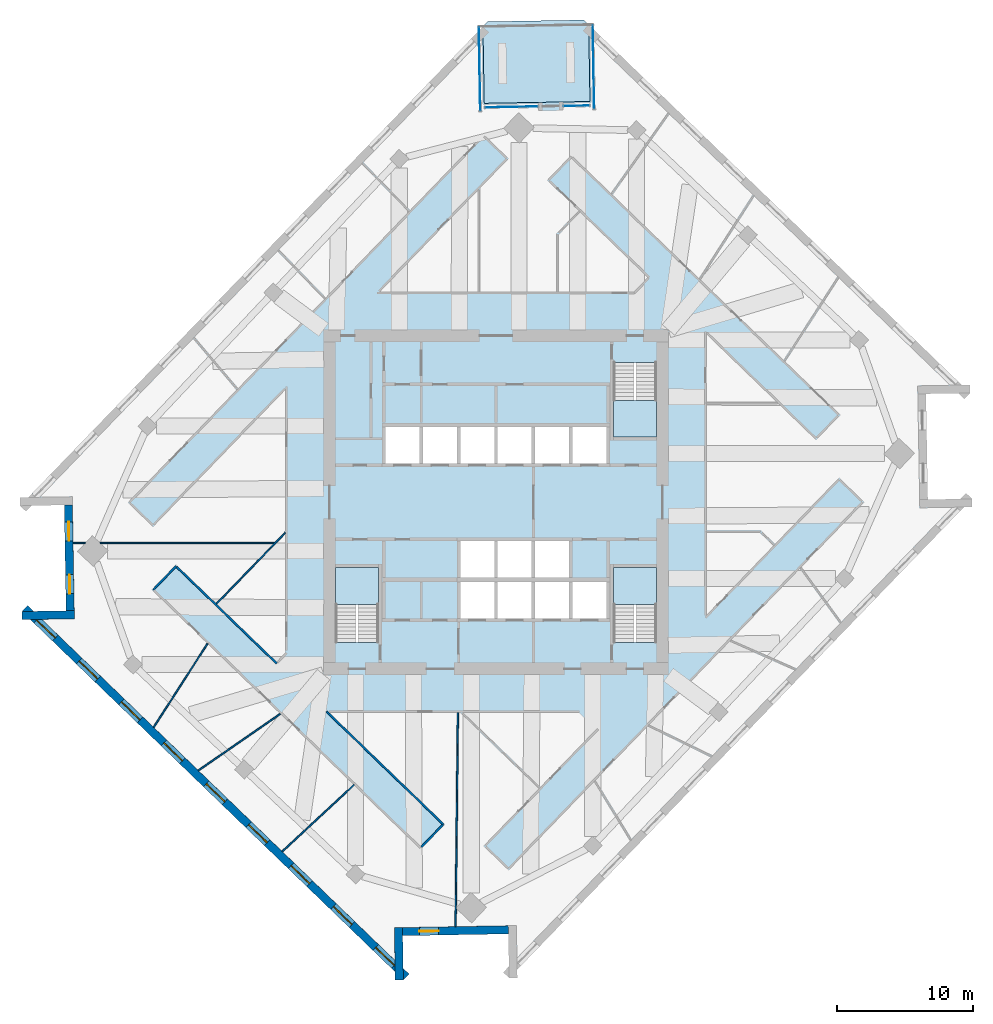
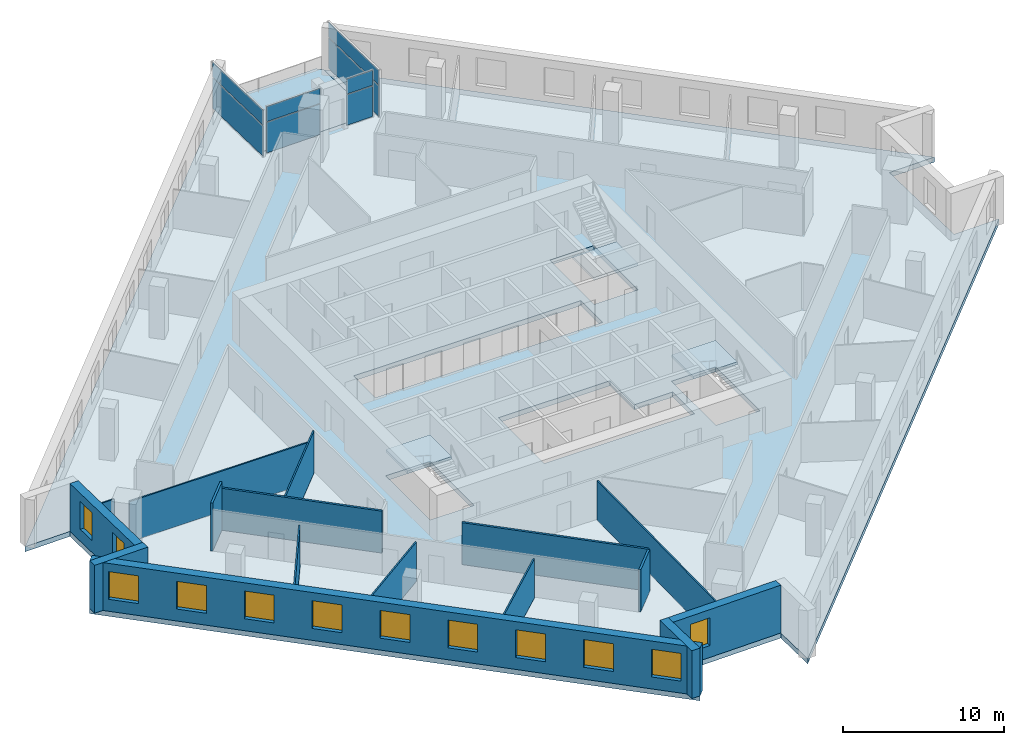
# One storey, part 5 of 13: 16 walls, 12 windows, 8 plates, 5 slabs, 12 openings, 7 elements without a shape of their own.
"""IFC4 building model written with IfcOpenShell, lengths in metres."""

from ifc_helpers import new_model, si_unit, direction, frame, frame_2d, origin, origin_2d, place, context, subcontext, project, spatial, polyline, rectangle, outline, extrude, material, layer, layer_set, type_object, element, fill, aggregate, save


model = new_model("IFC4")

# Units and contexts
model_context = context("Model", 3, precision=1e-05, world=origin(), true_north=direction((0.0, 1.0)))
body_context = subcontext(model_context, "Body", "Model", "MODEL_VIEW")
ifc_project = project(units=[si_unit("LENGTHUNIT", "METRE"), si_unit("AREAUNIT", "SQUARE_METRE"), si_unit("VOLUMEUNIT", "CUBIC_METRE"), si_unit("PLANEANGLEUNIT", "RADIAN"), si_unit("MASSUNIT", "GRAM", prefix="KILO")], contexts=[model_context])

# Site, building, storey
site_placement = place(None, origin())
site = spatial("IfcSite", under=ifc_project, at=site_placement, CompositionType="ELEMENT")
building_placement = place(site_placement, origin())
building = spatial("IfcBuilding", under=site, at=building_placement, Name="Dilmun Exchange Tower", CompositionType="ELEMENT")
storey_placement = place(building_placement, frame((0.0, 0.0, 209.300048828125)))
storey = spatial("IfcBuildingStorey", under=building, at=storey_placement, Name="L49", CompositionType="ELEMENT", Elevation=209.300048828125)

# Stair, slab
ifc_material_1 = material(Name="Concrete C40/50", Category="concrete")
stair_type = type_object("IfcStairType", Name="Exit stair 1500 half-turn", PredefinedType="HALF_TURN_STAIR", material=ifc_material_1)
stair_1_placement = place(storey_placement, origin())
stair_1 = element("IfcStair", 1, at=stair_1_placement, inside=storey, type_object=stair_type, Name="L49 Protected exit stair ST1", PredefinedType="HALF_TURN_STAIR")
ifc_layer_1 = layer(ifc_material_1, 0.199951171875)
ifc_layer_set_1 = layer_set([ifc_layer_1], Name="Concrete C40/50")
slab_type_1 = type_object("IfcSlabType", Name="Exit stair landing 200", PredefinedType="LANDING", material=ifc_layer_set_1)
slab_1_placement = place(storey_placement, frame((0.0, 0.0, 1.800048828125)))
slab_1 = element("IfcSlab", 2, at=slab_1_placement, type_object=slab_type_1, Name="ST1 landing 1", PredefinedType="LANDING", context=body_context, shape_type="SweptSolid", body=[
    extrude(outline(polyline([(8.64990234375, 7.5), (8.64990234375, 4.800048828125), (11.800048828125, 4.800048828125), (11.800048828125, 7.5), (8.64990234375, 7.5)])), origin(), (0.0, 0.0, 1.0), 0.199951171875),
])
aggregate(stair_1, [slab_1])

stair_2_placement = place(storey_placement, origin())
stair_2 = element("IfcStair", 3, at=stair_2_placement, inside=storey, type_object=stair_type, Name="L49 Protected exit stair ST2", PredefinedType="HALF_TURN_STAIR")
slab_2_placement = place(storey_placement, frame((0.0, 0.0, 1.800048828125)))
slab_2 = element("IfcSlab", 4, at=slab_2_placement, type_object=slab_type_1, Name="ST2 landing 1", PredefinedType="LANDING", context=body_context, shape_type="SweptSolid", body=[
    extrude(outline(polyline([(-8.64990234375, -7.5), (-8.64990234375, -4.800048828125), (-11.800048828125, -4.800048828125), (-11.800048828125, -7.5), (-8.64990234375, -7.5)])), origin(), (0.0, 0.0, 1.0), 0.199951171875),
])
aggregate(stair_2, [slab_2])

stair_3_placement = place(storey_placement, origin())
stair_3 = element("IfcStair", 5, at=stair_3_placement, inside=storey, type_object=stair_type, Name="L49 Protected exit stair ST3", PredefinedType="HALF_TURN_STAIR")
slab_3_placement = place(storey_placement, frame((0.0, 0.0, 1.800048828125)))
slab_3 = element("IfcSlab", 6, at=slab_3_placement, type_object=slab_type_1, Name="ST3 landing 1", PredefinedType="LANDING", context=body_context, shape_type="SweptSolid", body=[
    extrude(outline(polyline([(11.800048828125, -7.5), (11.800048828125, -4.800048828125), (8.64990234375, -4.800048828125), (8.64990234375, -7.5), (11.800048828125, -7.5)])), origin(), (0.0, 0.0, 1.0), 0.199951171875),
])
aggregate(stair_3, [slab_3])

# Curtain wall, plates
ifc_material_2 = material(Name="Anodised aluminium and clear glass", Category="aluminium")
curtain_wall_type = type_object("IfcCurtainWallType", Name="Garden corner glazing", PredefinedType="NOTDEFINED", material=ifc_material_2)
curtain_wall_1_placement = place(storey_placement, origin())
curtain_wall_1 = element("IfcCurtainWall", 7, at=curtain_wall_1_placement, inside=storey, type_object=curtain_wall_type, Name="Garden corner glazing run GC1.1", PredefinedType="NOTDEFINED")
ifc_material_3 = material(Name="Clear glass", Category="glass")
ifc_layer_2 = layer(ifc_material_3, 0.028076171875)
ifc_layer_set_2 = layer_set([ifc_layer_2], Name="Clear glass")
plate_type = type_object("IfcPlateType", Name="Garden corner glazing glass panel 28", PredefinedType="CURTAIN_PANEL", material=ifc_layer_set_2)
plate_1_placement = place(storey_placement, frame((7.1669921875, 32.008544921875, 0.059814453125), z_axis=(0.0, 0.0, 1.0), x_axis=(0.017449908501, -0.999847738755, 0.0)))
plate_1 = element("IfcPlate", 8, at=plate_1_placement, type_object=plate_type, Name="GC1.1 panel 1.1", PredefinedType="CURTAIN_PANEL", context=body_context, shape_type="SweptSolid", body=[
    extrude(rectangle(XDim=6.12646484375, YDim=0.028076171875, at=origin_2d()), origin(), (0.0, 0.0, 1.0), 2.31005859375),
])
plate_2_placement = place(storey_placement, frame((7.1669921875, 32.008544921875, 2.429931640625), z_axis=(0.0, 0.0, 1.0), x_axis=(0.017449908501, -0.999847738755, 0.0)))
plate_2 = element("IfcPlate", 9, at=plate_2_placement, type_object=plate_type, Name="GC1.1 panel 1.2", PredefinedType="CURTAIN_PANEL", context=body_context, shape_type="SweptSolid", body=[
    extrude(rectangle(XDim=6.12646484375, YDim=0.028076171875, at=origin_2d()), origin(), (0.0, 0.0, 1.0), 1.1298828125),
])
aggregate(curtain_wall_1, [plate_1, plate_2])

curtain_wall_2_placement = place(storey_placement, origin())
curtain_wall_2 = element("IfcCurtainWall", 10, at=curtain_wall_2_placement, inside=storey, type_object=curtain_wall_type, Name="Garden corner glazing run GC2.1", PredefinedType="NOTDEFINED")
plate_3_placement = place(storey_placement, frame((5.922119140625, 29.1630859375, 0.059814453125), z_axis=(0.0, 0.0, 1.0), x_axis=(-0.999847823501, -0.017445052024, 0.0)))
plate_3 = element("IfcPlate", 11, at=plate_3_placement, type_object=plate_type, Name="GC2.1 panel 1.1", PredefinedType="CURTAIN_PANEL", context=body_context, shape_type="SweptSolid", body=[
    extrude(rectangle(XDim=1.869140625, YDim=0.028076171875, at=origin_2d()), origin(), (0.0, 0.0, 1.0), 2.31005859375),
])
plate_4_placement = place(storey_placement, frame((5.922119140625, 29.1630859375, 2.429931640625), z_axis=(0.0, 0.0, 1.0), x_axis=(-0.999847823501, -0.017445052024, 0.0)))
plate_4 = element("IfcPlate", 12, at=plate_4_placement, type_object=plate_type, Name="GC2.1 panel 1.2", PredefinedType="CURTAIN_PANEL", context=body_context, shape_type="SweptSolid", body=[
    extrude(rectangle(XDim=1.869140625, YDim=0.028076171875, at=origin_2d()), origin(), (0.0, 0.0, 1.0), 1.1298828125),
])
aggregate(curtain_wall_2, [plate_3, plate_4])

curtain_wall_3_placement = place(storey_placement, origin())
curtain_wall_3 = element("IfcCurtainWall", 13, at=curtain_wall_3_placement, inside=storey, type_object=curtain_wall_type, Name="Garden corner glazing run GC2.3", PredefinedType="NOTDEFINED")
plate_5_placement = place(storey_placement, frame((1.133544921875, 29.07958984375, 0.059814453125), z_axis=(0.0, 0.0, 1.0), x_axis=(-0.999847342934, -0.017472573608, 0.0)))
plate_5 = element("IfcPlate", 14, at=plate_5_placement, type_object=plate_type, Name="GC2.3 panel 1.1", PredefinedType="CURTAIN_PANEL", context=body_context, shape_type="SweptSolid", body=[
    extrude(rectangle(XDim=3.869140625, YDim=0.028076171875, at=origin_2d()), origin(), (0.0, 0.0, 1.0), 2.31005859375),
])
plate_6_placement = place(storey_placement, frame((1.133544921875, 29.07958984375, 2.429931640625), z_axis=(0.0, 0.0, 1.0), x_axis=(-0.999847342934, -0.017472573608, 0.0)))
plate_6 = element("IfcPlate", 15, at=plate_6_placement, type_object=plate_type, Name="GC2.3 panel 1.2", PredefinedType="CURTAIN_PANEL", context=body_context, shape_type="SweptSolid", body=[
    extrude(rectangle(XDim=3.869140625, YDim=0.028076171875, at=origin_2d()), origin(), (0.0, 0.0, 1.0), 1.1298828125),
])
aggregate(curtain_wall_3, [plate_5, plate_6])

curtain_wall_4_placement = place(storey_placement, origin())
curtain_wall_4 = element("IfcCurtainWall", 16, at=curtain_wall_4_placement, inside=storey, type_object=curtain_wall_type, Name="Garden corner glazing run GC3.1", PredefinedType="NOTDEFINED")
plate_7_placement = place(storey_placement, frame((-1.209716796875, 31.8623046875, 0.059814453125), z_axis=(0.0, 0.0, 1.0), x_axis=(-0.017450187816, 0.99984773388, 0.0)))
plate_7 = element("IfcPlate", 17, at=plate_7_placement, type_object=plate_type, Name="GC3.1 panel 1.1", PredefinedType="CURTAIN_PANEL", context=body_context, shape_type="SweptSolid", body=[
    extrude(rectangle(XDim=6.12646484375, YDim=0.028076171875, at=origin_2d()), origin(), (0.0, 0.0, 1.0), 2.31005859375),
])
plate_8_placement = place(storey_placement, frame((-1.209716796875, 31.8623046875, 2.429931640625), z_axis=(0.0, 0.0, 1.0), x_axis=(-0.017450187816, 0.99984773388, 0.0)))
plate_8 = element("IfcPlate", 18, at=plate_8_placement, type_object=plate_type, Name="GC3.1 panel 1.2", PredefinedType="CURTAIN_PANEL", context=body_context, shape_type="SweptSolid", body=[
    extrude(rectangle(XDim=6.12646484375, YDim=0.028076171875, at=origin_2d()), origin(), (0.0, 0.0, 1.0), 1.1298828125),
])
aggregate(curtain_wall_4, [plate_7, plate_8])

# Slabs
ifc_layer_3 = layer(ifc_material_1, 0.3798828125)
ifc_layer_set_3 = layer_set([ifc_layer_3], Name="Concrete C40/50")
slab_type_2 = type_object("IfcSlabType", Name="RC floor slab 380", PredefinedType="FLOOR", material=ifc_layer_set_3)
slab_4_placement = place(storey_placement, frame((0.0, 0.0, -0.380126953125)))
element("IfcSlab", 19, at=slab_4_placement, inside=storey, type_object=slab_type_2, Name="Floor slab", PredefinedType="FLOOR", context=body_context, shape_type="SweptSolid", body=[
    extrude(outline(polyline([(31.620849609375, 7.977783203125), (31.756591796875, 0.20068359375), (35.002685546875, 0.25732421875), (0.96435546875, -34.990234375), (0.90771484375, -31.744384765625), (-6.869384765625, -31.880126953125), (-6.8125, -35.1259765625), (-34.866943359375, -8.034423828125), (-31.620849609375, -7.977783203125), (-31.756591796875, -0.20068359375), (-35.002685546875, -0.25732421875), (-0.96435546875, 34.990234375), (-0.86572265625, 29.3447265625), (6.9111328125, 29.48046875), (6.8125, 35.1259765625), (34.866943359375, 8.034423828125), (31.620849609375, 7.977783203125)]), holes=[polyline([(-8.64990234375, -4.800048828125), (-11.800048828125, -4.800048828125), (-11.800048828125, -10.294921875), (-8.64990234375, -10.294921875), (-8.64990234375, -4.800048828125)]), polyline([(11.800048828125, -4.800048828125), (8.64990234375, -4.800048828125), (8.64990234375, -10.294921875), (11.800048828125, -10.294921875), (11.800048828125, -4.800048828125)]), polyline([(5.375, -2.85009765625), (-2.625, -2.85009765625), (-2.625, -8.550048828125), (8.125, -8.550048828125), (8.125, -5.85009765625), (5.375, -5.85009765625), (5.375, -2.85009765625)]), polyline([(8.125, 2.85009765625), (8.125, 5.550048828125), (-8.125, 5.550048828125), (-8.125, 2.85009765625), (8.125, 2.85009765625)]), polyline([(8.64990234375, 10.294921875), (8.64990234375, 4.800048828125), (11.800048828125, 4.800048828125), (11.800048828125, 10.294921875), (8.64990234375, 10.294921875)])]), origin(), (0.0, 0.0, 1.0), 0.380126953125),
])
ifc_layer_4 = layer(ifc_material_1, 0.300048828125)
ifc_layer_set_4 = layer_set([ifc_layer_4], Name="Concrete C40/50")
slab_type_3 = type_object("IfcSlabType", Name="RC garden terrace slab 300", PredefinedType="FLOOR", material=ifc_layer_set_4)
slab_5_placement = place(storey_placement, frame((0.0, 0.0, -0.300048828125)))
element("IfcSlab", 20, at=slab_5_placement, inside=storey, type_object=slab_type_3, Name="Garden terrace slab", PredefinedType="FLOOR", context=body_context, shape_type="SweptSolid", body=[
    extrude(outline(polyline([(-0.86572265625, 29.3447265625), (-0.96435546875, 34.990234375), (-0.616943359375, 35.35009765625), (6.452880859375, 35.473388671875), (6.8125, 35.1259765625), (6.9111328125, 29.48046875), (-0.86572265625, 29.3447265625)])), origin(), (0.0, 0.0, 1.0), 0.300048828125),
])

# Walls
ifc_material_4 = material(Name="Corridor wall 150")
ifc_layer_5 = layer(ifc_material_4, 0.14990234375)
ifc_layer_set_5 = layer_set([ifc_layer_5], Name="Corridor wall 150")
wall_type_1 = type_object("IfcWallType", Name="Corridor wall 150", PredefinedType="PARTITIONING", material=ifc_layer_set_5)
wall_1_placement = place(storey_placement, frame((-25.205078125, -6.427001953125, 0.0), z_axis=(0.0, 0.0, 1.0), x_axis=(0.694688923552, 0.719310294305, 0.0)))
element("IfcWall", 21, at=wall_1_placement, inside=storey, type_object=wall_type_1, Name="Corridor wall", PredefinedType="PARTITIONING", context=body_context, shape_type="SweptSolid", body=[
    extrude(rectangle(XDim=2.399658203125, YDim=0.14990234375, at=frame_2d((1.19970703125, 0.0))), origin(), (0.0, 0.0, 1.0), 3.619873046875),
])
wall_2_placement = place(storey_placement, frame((-23.48388671875, -4.753173828125, 0.0), z_axis=(0.0, 0.0, 1.0), x_axis=(0.719330221059, -0.694668289956, 0.0)))
element("IfcWall", 22, at=wall_2_placement, inside=storey, type_object=wall_type_1, Name="Corridor wall", PredefinedType="PARTITIONING", context=body_context, shape_type="SweptSolid", body=[
    extrude(rectangle(XDim=10.21630859375, YDim=0.14990234375, at=frame_2d((5.108154296875, 0.0))), origin(), (0.0, 0.0, 1.0), 3.169921875),
])
wall_3_placement = place(storey_placement, frame((-12.458984375, -15.39990234375, 0.0), z_axis=(0.0, 0.0, 1.0), x_axis=(0.719357740032, -0.694639792883, 0.0)))
element("IfcWall", 23, at=wall_3_placement, inside=storey, type_object=wall_type_1, Name="Corridor wall", PredefinedType="PARTITIONING", context=body_context, shape_type="SweptSolid", body=[
    extrude(rectangle(XDim=11.931396484375, YDim=0.14990234375, at=frame_2d((5.9658203125, 0.0))), origin(), (0.0, 0.0, 1.0), 3.169921875),
])
wall_4_placement = place(storey_placement, frame((-5.490966796875, -25.360107421875, 0.0), z_axis=(0.0, 0.0, 1.0), x_axis=(0.694737811608, 0.719263076435, 0.0)))
element("IfcWall", 24, at=wall_4_placement, inside=storey, type_object=wall_type_1, Name="Corridor wall", PredefinedType="PARTITIONING", context=body_context, shape_type="SweptSolid", body=[
    extrude(rectangle(XDim=2.249755859375, YDim=0.14990234375, at=frame_2d((1.125, 0.0))), origin(), (0.0, 0.0, 1.0), 3.169921875),
])
ifc_material_5 = material(Name="Partition 100")
ifc_layer_6 = layer(ifc_material_5, 0.10009765625)
ifc_layer_set_6 = layer_set([ifc_layer_6], Name="Partition 100")
wall_type_2 = type_object("IfcWallType", Name="Partition 100", PredefinedType="PARTITIONING", material=ifc_layer_set_6)
wall_5_placement = place(storey_placement, frame((-31.105712890625, -2.9951171875, 0.0), z_axis=(0.0, 0.0, 1.0), x_axis=(1.0, 0.0, 0.0)))
element("IfcWall", 25, at=wall_5_placement, inside=storey, type_object=wall_type_2, Name="Partition", PredefinedType="PARTITIONING", context=body_context, shape_type="SweptSolid", body=[
    extrude(rectangle(XDim=0.900634765625, YDim=0.10009765625, at=frame_2d((0.4501953125, 0.0))), origin(), (0.0, 0.0, 1.0), 3.619873046875),
])
wall_6_placement = place(storey_placement, frame((-29.115478515625, -2.9951171875, 0.0), z_axis=(0.0, 0.0, 1.0), x_axis=(1.0, 0.0, 0.0)))
element("IfcWall", 26, at=wall_6_placement, inside=storey, type_object=wall_type_2, Name="Partition", PredefinedType="PARTITIONING", context=body_context, shape_type="SweptSolid", body=[
    extrude(rectangle(XDim=12.76171875, YDim=0.10009765625, at=frame_2d((6.380859375, 0.0))), origin(), (0.0, 0.0, 1.0), 3.050048828125),
])
wall_7_placement = place(storey_placement, frame((-25.181884765625, -16.55029296875, 0.0), z_axis=(0.0, 0.0, 1.0), x_axis=(0.541323767844, 0.84081423535, 0.0)))
element("IfcWall", 27, at=wall_7_placement, inside=storey, type_object=wall_type_2, Name="Partition", PredefinedType="PARTITIONING", context=body_context, shape_type="SweptSolid", body=[
    extrude(rectangle(XDim=7.3212890625, YDim=0.10009765625, at=frame_2d((3.66064453125, 0.0))), origin(), (0.0, 0.0, 1.0), 2.969970703125),
])
wall_8_placement = place(storey_placement, frame((-21.894287109375, -19.724853515625, 0.0), z_axis=(0.0, 0.0, 1.0), x_axis=(0.822893560883, 0.568195553887, 0.0)))
element("IfcWall", 28, at=wall_8_placement, inside=storey, type_object=wall_type_2, Name="Partition", PredefinedType="PARTITIONING", context=body_context, shape_type="SweptSolid", body=[
    extrude(rectangle(XDim=7.32421875, YDim=0.10009765625, at=frame_2d((3.662109375, 0.0))), origin(), (0.0, 0.0, 1.0), 2.969970703125),
])
wall_9_placement = place(storey_placement, frame((-20.559814453125, -7.47216796875, 0.0), z_axis=(0.0, 0.0, 1.0), x_axis=(0.694721601458, 0.719278733502, 0.0)))
element("IfcWall", 29, at=wall_9_placement, inside=storey, type_object=wall_type_2, Name="Partition", PredefinedType="PARTITIONING", context=body_context, shape_type="SweptSolid", body=[
    extrude(rectangle(XDim=7.267333984375, YDim=0.10009765625, at=frame_2d((3.6337890625, 0.0))), origin(), (0.0, 0.0, 1.0), 3.169921875),
])
wall_10_placement = place(storey_placement, frame((-15.722412109375, -25.68505859375, 0.0), z_axis=(0.0, 0.0, 1.0), x_axis=(0.732967408974, 0.680263755747, 0.0)))
element("IfcWall", 30, at=wall_10_placement, inside=storey, type_object=wall_type_2, Name="Partition", PredefinedType="PARTITIONING", context=body_context, shape_type="SweptSolid", body=[
    extrude(rectangle(XDim=7.19873046875, YDim=0.10009765625, at=frame_2d((3.599365234375, 0.0))), origin(), (0.0, 0.0, 1.0), 2.969970703125),
])
wall_11_placement = place(storey_placement, frame((-2.974609375, -31.2099609375, 0.0), z_axis=(0.0, 0.0, 1.0), x_axis=(0.010798774474, 0.999941691535, 0.0)))
element("IfcWall", 31, at=wall_11_placement, inside=storey, type_object=wall_type_2, Name="Partition", PredefinedType="PARTITIONING", context=body_context, shape_type="SweptSolid", body=[
    extrude(rectangle(XDim=15.7353515625, YDim=0.10009765625, at=frame_2d((7.86767578125, 0.0))), origin(), (0.0, 0.0, 1.0), 2.969970703125),
])

# Wall, openings, windows
ifc_material_6 = material(Name="Precast concrete C50/60", Category="concrete")
ifc_layer_7 = layer(ifc_material_6, 0.60009765625)
ifc_layer_set_7 = layer_set([ifc_layer_7], Name="Precast concrete C50/60")
wall_type_3 = type_object("IfcWallType", Name="Precast stone-clad wall 600", PredefinedType="STANDARD", material=ifc_layer_set_7)
wall_12_placement = place(storey_placement, frame((-31.456787109375, -0.195556640625, 0.0), z_axis=(0.0, 0.0, 1.0), x_axis=(0.017451978485, -0.999847702626, 0.0)))
wall_12 = element("IfcWall", 32, at=wall_12_placement, inside=storey, type_object=wall_type_3, Name="Facade wall L49-05", PredefinedType="STANDARD", context=body_context, shape_type="SweptSolid", body=[
    extrude(rectangle(XDim=7.778076171875, YDim=0.60009765625, at=frame_2d((3.88916015625, 0.0))), origin(), (0.0, 0.0, 1.0), 3.619873046875),
])
opening_1_placement = place(wall_12_placement, frame((1.244384765625, 0.0, 0.89990234375)))
opening_1 = element("IfcOpeningElement", 33, at=opening_1_placement, cuts=wall_12, Name="Opening W140-210", PredefinedType="OPENING", context=body_context, shape_type="SweptSolid", body=[
    extrude(rectangle(XDim=1.39990234375, YDim=2.10009765625, at=frame_2d((0.699951171875, 1.050048828125))), frame((0.0, 0.31005859375, 0.0), z_axis=(0.0, -1.0, 0.0), x_axis=(1.0, 0.0, 0.0)), (0.0, 0.0, 1.0), 0.6201171875),
])
opening_2_placement = place(wall_12_placement, frame((5.133544921875, 0.0, 0.89990234375)))
opening_2 = element("IfcOpeningElement", 34, at=opening_2_placement, cuts=wall_12, Name="Opening W140-210", PredefinedType="OPENING", context=body_context, shape_type="SweptSolid", body=[
    extrude(rectangle(XDim=1.39990234375, YDim=2.10009765625, at=frame_2d((0.699951171875, 1.050048828125))), frame((0.0, 0.31005859375, 0.0), z_axis=(0.0, -1.0, 0.0), x_axis=(1.0, 0.0, 0.0)), (0.0, 0.0, 1.0), 0.6201171875),
])
ifc_material_7 = material(Name="Clear low-emissivity glass in aluminium frame", Category="aluminium")
window_type_1 = type_object("IfcWindowType", Name="Punched window 1400 x 2100", PartitioningType="DOUBLE_PANEL_VERTICAL", PredefinedType="WINDOW", material=ifc_material_7)
window_1_placement = place(opening_1_placement, origin())
window_1 = element("IfcWindow", 35, at=window_1_placement, inside=storey, type_object=window_type_1, Name="Window 6.1", OverallHeight=2.10009765625, OverallWidth=1.39990234375, PartitioningType="SINGLE_PANEL", PredefinedType="WINDOW", context=body_context, shape_type="SweptSolid", body=[
    extrude(rectangle(XDim=1.39990234375, YDim=2.10009765625, at=frame_2d((0.699951171875, 1.050048828125))), frame((0.0, 0.030029296875, 0.0), z_axis=(0.0, -1.0, 0.0), x_axis=(1.0, 0.0, 0.0)), (0.0, 0.0, 1.0), 0.06005859375),
])
fill(opening_1, window_1)
window_2_placement = place(opening_2_placement, origin())
window_2 = element("IfcWindow", 36, at=window_2_placement, inside=storey, type_object=window_type_1, Name="Window 6.2", OverallHeight=2.10009765625, OverallWidth=1.39990234375, PartitioningType="SINGLE_PANEL", PredefinedType="WINDOW", context=body_context, shape_type="SweptSolid", body=[
    extrude(rectangle(XDim=1.39990234375, YDim=2.10009765625, at=frame_2d((0.699951171875, 1.050048828125))), frame((0.0, 0.030029296875, 0.0), z_axis=(0.0, -1.0, 0.0), x_axis=(1.0, 0.0, 0.0)), (0.0, 0.0, 1.0), 0.06005859375),
])
fill(opening_2, window_2)

# Wall
wall_13_placement = place(storey_placement, frame((-31.015869140625, -8.26708984375, 0.0), z_axis=(0.0, 0.0, 1.0), x_axis=(-0.999847642189, -0.017455440681, 0.0)))
element("IfcWall", 37, at=wall_13_placement, inside=storey, type_object=wall_type_3, Name="Facade wall L49-06", PredefinedType="STANDARD", context=body_context, shape_type="SweptSolid", body=[
    extrude(rectangle(XDim=3.84619140625, YDim=0.60009765625, at=frame_2d((1.923095703125, 0.0))), origin(), (0.0, 0.0, 1.0), 3.619873046875),
])

# Wall, openings, windows
wall_14_placement = place(storey_placement, frame((-34.658447265625, -7.818603515625, 0.0), z_axis=(0.0, 0.0, 1.0), x_axis=(0.719340729741, -0.694657408034, 0.0)))
wall_14 = element("IfcWall", 38, at=wall_14_placement, inside=storey, type_object=wall_type_3, Name="Facade wall L49-07", PredefinedType="STANDARD", context=body_context, shape_type="SweptSolid", body=[
    extrude(rectangle(XDim=38.999755859375, YDim=0.60009765625, at=frame_2d((19.5, 0.0))), origin(), (0.0, 0.0, 1.0), 3.619873046875),
])
opening_3_placement = place(wall_14_placement, frame((1.216796875, 0.0, 0.89990234375)))
opening_3 = element("IfcOpeningElement", 39, at=opening_3_placement, cuts=wall_14, Name="Opening W190-210", PredefinedType="OPENING", context=body_context, shape_type="SweptSolid", body=[
    extrude(rectangle(XDim=1.89990234375, YDim=2.10009765625, at=frame_2d((0.949951171875, 1.050048828125))), frame((0.0, 0.31005859375, 0.0), z_axis=(0.0, -1.0, 0.0), x_axis=(1.0, 0.0, 0.0)), (0.0, 0.0, 1.0), 0.6201171875),
])
opening_4_placement = place(wall_14_placement, frame((5.550048828125, 0.0, 0.89990234375)))
opening_4 = element("IfcOpeningElement", 40, at=opening_4_placement, cuts=wall_14, Name="Opening W190-210", PredefinedType="OPENING", context=body_context, shape_type="SweptSolid", body=[
    extrude(rectangle(XDim=1.89990234375, YDim=2.10009765625, at=frame_2d((0.949951171875, 1.050048828125))), frame((0.0, 0.31005859375, 0.0), z_axis=(0.0, -1.0, 0.0), x_axis=(1.0, 0.0, 0.0)), (0.0, 0.0, 1.0), 0.6201171875),
])
opening_5_placement = place(wall_14_placement, frame((9.88330078125, 0.0, 0.89990234375)))
opening_5 = element("IfcOpeningElement", 41, at=opening_5_placement, cuts=wall_14, Name="Opening W190-210", PredefinedType="OPENING", context=body_context, shape_type="SweptSolid", body=[
    extrude(rectangle(XDim=1.89990234375, YDim=2.10009765625, at=frame_2d((0.949951171875, 1.050048828125))), frame((0.0, 0.31005859375, 0.0), z_axis=(0.0, -1.0, 0.0), x_axis=(1.0, 0.0, 0.0)), (0.0, 0.0, 1.0), 0.6201171875),
])
opening_6_placement = place(wall_14_placement, frame((14.216796875, 0.0, 0.89990234375)))
opening_6 = element("IfcOpeningElement", 42, at=opening_6_placement, cuts=wall_14, Name="Opening W190-210", PredefinedType="OPENING", context=body_context, shape_type="SweptSolid", body=[
    extrude(rectangle(XDim=1.89990234375, YDim=2.10009765625, at=frame_2d((0.949951171875, 1.050048828125))), frame((0.0, 0.31005859375, 0.0), z_axis=(0.0, -1.0, 0.0), x_axis=(1.0, 0.0, 0.0)), (0.0, 0.0, 1.0), 0.6201171875),
])
opening_7_placement = place(wall_14_placement, frame((18.550048828125, 0.0, 0.89990234375)))
opening_7 = element("IfcOpeningElement", 43, at=opening_7_placement, cuts=wall_14, Name="Opening W190-210", PredefinedType="OPENING", context=body_context, shape_type="SweptSolid", body=[
    extrude(rectangle(XDim=1.89990234375, YDim=2.10009765625, at=frame_2d((0.949951171875, 1.050048828125))), frame((0.0, 0.31005859375, 0.0), z_axis=(0.0, -1.0, 0.0), x_axis=(1.0, 0.0, 0.0)), (0.0, 0.0, 1.0), 0.6201171875),
])
opening_8_placement = place(wall_14_placement, frame((22.88330078125, 0.0, 0.89990234375)))
opening_8 = element("IfcOpeningElement", 44, at=opening_8_placement, cuts=wall_14, Name="Opening W190-210", PredefinedType="OPENING", context=body_context, shape_type="SweptSolid", body=[
    extrude(rectangle(XDim=1.89990234375, YDim=2.10009765625, at=frame_2d((0.949951171875, 1.050048828125))), frame((0.0, 0.31005859375, 0.0), z_axis=(0.0, -1.0, 0.0), x_axis=(1.0, 0.0, 0.0)), (0.0, 0.0, 1.0), 0.6201171875),
])
opening_9_placement = place(wall_14_placement, frame((27.216796875, 0.0, 0.89990234375)))
opening_9 = element("IfcOpeningElement", 45, at=opening_9_placement, cuts=wall_14, Name="Opening W190-210", PredefinedType="OPENING", context=body_context, shape_type="SweptSolid", body=[
    extrude(rectangle(XDim=1.89990234375, YDim=2.10009765625, at=frame_2d((0.949951171875, 1.050048828125))), frame((0.0, 0.31005859375, 0.0), z_axis=(0.0, -1.0, 0.0), x_axis=(1.0, 0.0, 0.0)), (0.0, 0.0, 1.0), 0.6201171875),
])
opening_10_placement = place(wall_14_placement, frame((31.550048828125, 0.0, 0.89990234375)))
opening_10 = element("IfcOpeningElement", 46, at=opening_10_placement, cuts=wall_14, Name="Opening W190-210", PredefinedType="OPENING", context=body_context, shape_type="SweptSolid", body=[
    extrude(rectangle(XDim=1.89990234375, YDim=2.10009765625, at=frame_2d((0.949951171875, 1.050048828125))), frame((0.0, 0.31005859375, 0.0), z_axis=(0.0, -1.0, 0.0), x_axis=(1.0, 0.0, 0.0)), (0.0, 0.0, 1.0), 0.6201171875),
])
opening_11_placement = place(wall_14_placement, frame((35.88330078125, 0.0, 0.89990234375)))
opening_11 = element("IfcOpeningElement", 47, at=opening_11_placement, cuts=wall_14, Name="Opening W190-210", PredefinedType="OPENING", context=body_context, shape_type="SweptSolid", body=[
    extrude(rectangle(XDim=1.89990234375, YDim=2.10009765625, at=frame_2d((0.949951171875, 1.050048828125))), frame((0.0, 0.31005859375, 0.0), z_axis=(0.0, -1.0, 0.0), x_axis=(1.0, 0.0, 0.0)), (0.0, 0.0, 1.0), 0.6201171875),
])
window_type_2 = type_object("IfcWindowType", Name="Punched window 1900 x 2100", PartitioningType="DOUBLE_PANEL_VERTICAL", PredefinedType="WINDOW", material=ifc_material_7)
window_3_placement = place(opening_3_placement, origin())
window_3 = element("IfcWindow", 48, at=window_3_placement, inside=storey, type_object=window_type_2, Name="Window 8.1", OverallHeight=2.10009765625, OverallWidth=1.89990234375, PartitioningType="SINGLE_PANEL", PredefinedType="WINDOW", context=body_context, shape_type="SweptSolid", body=[
    extrude(rectangle(XDim=1.89990234375, YDim=2.10009765625, at=frame_2d((0.949951171875, 1.050048828125))), frame((0.0, 0.030029296875, 0.0), z_axis=(0.0, -1.0, 0.0), x_axis=(1.0, 0.0, 0.0)), (0.0, 0.0, 1.0), 0.06005859375),
])
fill(opening_3, window_3)
window_4_placement = place(opening_4_placement, origin())
window_4 = element("IfcWindow", 49, at=window_4_placement, inside=storey, type_object=window_type_2, Name="Window 8.2", OverallHeight=2.10009765625, OverallWidth=1.89990234375, PartitioningType="SINGLE_PANEL", PredefinedType="WINDOW", context=body_context, shape_type="SweptSolid", body=[
    extrude(rectangle(XDim=1.89990234375, YDim=2.10009765625, at=frame_2d((0.949951171875, 1.050048828125))), frame((0.0, 0.030029296875, 0.0), z_axis=(0.0, -1.0, 0.0), x_axis=(1.0, 0.0, 0.0)), (0.0, 0.0, 1.0), 0.06005859375),
])
fill(opening_4, window_4)
window_5_placement = place(opening_5_placement, origin())
window_5 = element("IfcWindow", 50, at=window_5_placement, inside=storey, type_object=window_type_2, Name="Window 8.3", OverallHeight=2.10009765625, OverallWidth=1.89990234375, PartitioningType="SINGLE_PANEL", PredefinedType="WINDOW", context=body_context, shape_type="SweptSolid", body=[
    extrude(rectangle(XDim=1.89990234375, YDim=2.10009765625, at=frame_2d((0.949951171875, 1.050048828125))), frame((0.0, 0.030029296875, 0.0), z_axis=(0.0, -1.0, 0.0), x_axis=(1.0, 0.0, 0.0)), (0.0, 0.0, 1.0), 0.06005859375),
])
fill(opening_5, window_5)
window_6_placement = place(opening_6_placement, origin())
window_6 = element("IfcWindow", 51, at=window_6_placement, inside=storey, type_object=window_type_2, Name="Window 8.4", OverallHeight=2.10009765625, OverallWidth=1.89990234375, PartitioningType="SINGLE_PANEL", PredefinedType="WINDOW", context=body_context, shape_type="SweptSolid", body=[
    extrude(rectangle(XDim=1.89990234375, YDim=2.10009765625, at=frame_2d((0.949951171875, 1.050048828125))), frame((0.0, 0.030029296875, 0.0), z_axis=(0.0, -1.0, 0.0), x_axis=(1.0, 0.0, 0.0)), (0.0, 0.0, 1.0), 0.06005859375),
])
fill(opening_6, window_6)
window_7_placement = place(opening_7_placement, origin())
window_7 = element("IfcWindow", 52, at=window_7_placement, inside=storey, type_object=window_type_2, Name="Window 8.5", OverallHeight=2.10009765625, OverallWidth=1.89990234375, PartitioningType="SINGLE_PANEL", PredefinedType="WINDOW", context=body_context, shape_type="SweptSolid", body=[
    extrude(rectangle(XDim=1.89990234375, YDim=2.10009765625, at=frame_2d((0.949951171875, 1.050048828125))), frame((0.0, 0.030029296875, 0.0), z_axis=(0.0, -1.0, 0.0), x_axis=(1.0, 0.0, 0.0)), (0.0, 0.0, 1.0), 0.06005859375),
])
fill(opening_7, window_7)
window_8_placement = place(opening_8_placement, origin())
window_8 = element("IfcWindow", 53, at=window_8_placement, inside=storey, type_object=window_type_2, Name="Window 8.6", OverallHeight=2.10009765625, OverallWidth=1.89990234375, PartitioningType="SINGLE_PANEL", PredefinedType="WINDOW", context=body_context, shape_type="SweptSolid", body=[
    extrude(rectangle(XDim=1.89990234375, YDim=2.10009765625, at=frame_2d((0.949951171875, 1.050048828125))), frame((0.0, 0.030029296875, 0.0), z_axis=(0.0, -1.0, 0.0), x_axis=(1.0, 0.0, 0.0)), (0.0, 0.0, 1.0), 0.06005859375),
])
fill(opening_8, window_8)
window_9_placement = place(opening_9_placement, origin())
window_9 = element("IfcWindow", 54, at=window_9_placement, inside=storey, type_object=window_type_2, Name="Window 8.7", OverallHeight=2.10009765625, OverallWidth=1.89990234375, PartitioningType="SINGLE_PANEL", PredefinedType="WINDOW", context=body_context, shape_type="SweptSolid", body=[
    extrude(rectangle(XDim=1.89990234375, YDim=2.10009765625, at=frame_2d((0.949951171875, 1.050048828125))), frame((0.0, 0.030029296875, 0.0), z_axis=(0.0, -1.0, 0.0), x_axis=(1.0, 0.0, 0.0)), (0.0, 0.0, 1.0), 0.06005859375),
])
fill(opening_9, window_9)
window_10_placement = place(opening_10_placement, origin())
window_10 = element("IfcWindow", 55, at=window_10_placement, inside=storey, type_object=window_type_2, Name="Window 8.8", OverallHeight=2.10009765625, OverallWidth=1.89990234375, PartitioningType="SINGLE_PANEL", PredefinedType="WINDOW", context=body_context, shape_type="SweptSolid", body=[
    extrude(rectangle(XDim=1.89990234375, YDim=2.10009765625, at=frame_2d((0.949951171875, 1.050048828125))), frame((0.0, 0.030029296875, 0.0), z_axis=(0.0, -1.0, 0.0), x_axis=(1.0, 0.0, 0.0)), (0.0, 0.0, 1.0), 0.06005859375),
])
fill(opening_10, window_10)
window_11_placement = place(opening_11_placement, origin())
window_11 = element("IfcWindow", 56, at=window_11_placement, inside=storey, type_object=window_type_2, Name="Window 8.9", OverallHeight=2.10009765625, OverallWidth=1.89990234375, PartitioningType="SINGLE_PANEL", PredefinedType="WINDOW", context=body_context, shape_type="SweptSolid", body=[
    extrude(rectangle(XDim=1.89990234375, YDim=2.10009765625, at=frame_2d((0.949951171875, 1.050048828125))), frame((0.0, 0.030029296875, 0.0), z_axis=(0.0, -1.0, 0.0), x_axis=(1.0, 0.0, 0.0)), (0.0, 0.0, 1.0), 0.06005859375),
])
fill(opening_11, window_11)

# Wall
wall_15_placement = place(storey_placement, frame((-7.112548828125, -35.13134765625, 0.0), z_axis=(0.0, 0.0, 1.0), x_axis=(-0.017454332947, 0.999847661527, 0.0)))
element("IfcWall", 57, at=wall_15_placement, inside=storey, type_object=wall_type_3, Name="Facade wall L49-08", PredefinedType="STANDARD", context=body_context, shape_type="SweptSolid", body=[
    extrude(rectangle(XDim=3.846435546875, YDim=0.60009765625, at=frame_2d((1.92333984375, 0.0))), origin(), (0.0, 0.0, 1.0), 3.619873046875),
])

# Wall, opening, window
wall_16_placement = place(storey_placement, frame((-6.87451171875, -31.580078125, 0.0), z_axis=(0.0, 0.0, 1.0), x_axis=(0.999847712186, 0.017451430795, 0.0)))
wall_16 = element("IfcWall", 58, at=wall_16_placement, inside=storey, type_object=wall_type_3, Name="Facade wall L49-09", PredefinedType="STANDARD", context=body_context, shape_type="SweptSolid", body=[
    extrude(rectangle(XDim=7.7783203125, YDim=0.60009765625, at=frame_2d((3.88916015625, 0.0))), origin(), (0.0, 0.0, 1.0), 3.619873046875),
])
opening_12_placement = place(wall_16_placement, frame((1.244384765625, 0.0, 0.89990234375)))
opening_12 = element("IfcOpeningElement", 59, at=opening_12_placement, cuts=wall_16, Name="Opening W140-210", PredefinedType="OPENING", context=body_context, shape_type="SweptSolid", body=[
    extrude(rectangle(XDim=1.39990234375, YDim=2.10009765625, at=frame_2d((0.699951171875, 1.050048828125))), frame((0.0, 0.31005859375, 0.0), z_axis=(0.0, -1.0, 0.0), x_axis=(1.0, 0.0, 0.0)), (0.0, 0.0, 1.0), 0.6201171875),
])
window_12_placement = place(opening_12_placement, origin())
window_12 = element("IfcWindow", 60, at=window_12_placement, inside=storey, type_object=window_type_1, Name="Window 10.1", OverallHeight=2.10009765625, OverallWidth=1.39990234375, PartitioningType="SINGLE_PANEL", PredefinedType="WINDOW", context=body_context, shape_type="SweptSolid", body=[
    extrude(rectangle(XDim=1.39990234375, YDim=2.10009765625, at=frame_2d((0.699951171875, 1.050048828125))), frame((0.0, 0.030029296875, 0.0), z_axis=(0.0, -1.0, 0.0), x_axis=(1.0, 0.0, 0.0)), (0.0, 0.0, 1.0), 0.06005859375),
])
fill(opening_12, window_12)

save(model, "model.ifc")
